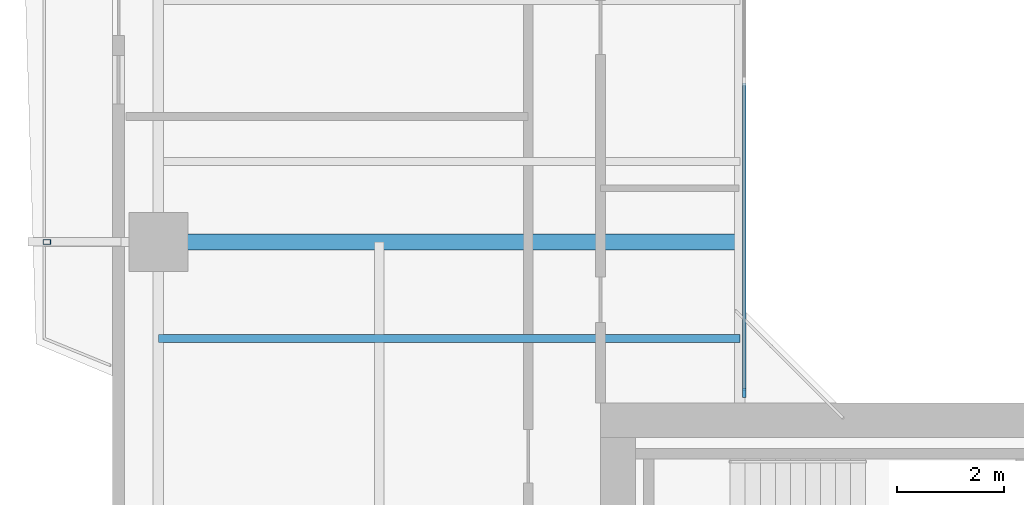
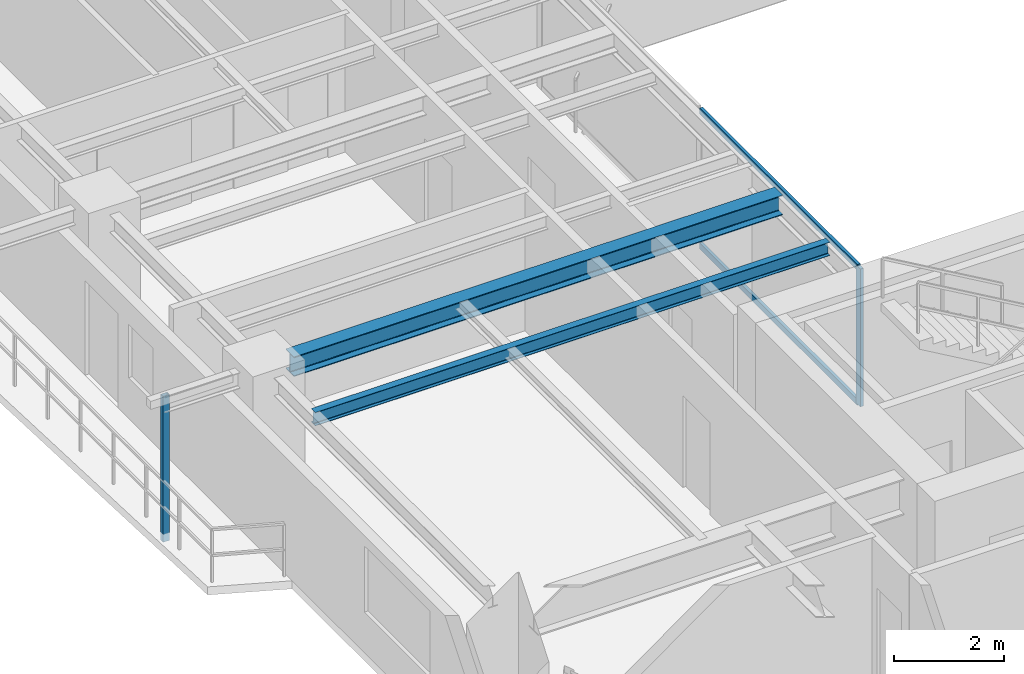
# One storey, part 3 of 17: 4 members, 2 beams, 1 element without a shape of its own.
"""IFC4 building model written with IfcOpenShell, lengths in metres."""

from ifc_helpers import new_model, si_unit, direction, frame, origin, origin_2d, place, context, subcontext, project, spatial, rectangle, hollow_rectangle, i_section, extrude, source, transform, mapped, material, layer, layer_set, material_profile, profile_set, type_object, element, aggregate, save


model = new_model("IFC4")

# Units and contexts
model_context = context("Model", 3, precision=1e-05, world=origin(), true_north=direction((0.0, 1.0)))
body_context = subcontext(model_context, "Body", "Model", "MODEL_VIEW")
ifc_project = project(units=[si_unit("LENGTHUNIT", "METRE"), si_unit("AREAUNIT", "SQUARE_METRE"), si_unit("VOLUMEUNIT", "CUBIC_METRE"), si_unit("PLANEANGLEUNIT", "RADIAN"), si_unit("MASSUNIT", "GRAM", prefix="KILO"), si_unit("THERMODYNAMICTEMPERATUREUNIT", "KELVIN"), si_unit("POWERUNIT", "WATT")], contexts=[model_context])

# Site, building, storey
site_placement = place(None, origin())
site = spatial("IfcSite", under=ifc_project, at=site_placement, CompositionType="ELEMENT")
building_placement = place(site_placement, origin())
building = spatial("IfcBuilding", under=site, at=building_placement, Name="Qiaomeng Ring Towers", CompositionType="ELEMENT")
storey_placement = place(building_placement, frame((0.0, 0.0, 119.75)))
storey = spatial("IfcBuildingStorey", under=building, at=storey_placement, Name="L34", CompositionType="ELEMENT", Elevation=119.75)

# Beams
ifc_material_1 = material(Name="Steel Q355B", Category="steel")
ifc_material_profile_1 = material_profile(ifc_material_1, i_section(OverallWidth=0.300048828125, OverallDepth=0.43994140625, WebThickness=0.010986328125, FlangeThickness=0.01806640625, FilletRadius=0.02392578125, at=origin_2d()), Name="HM 440x300x11x18")
ifc_profile_set_1 = profile_set([ifc_material_profile_1], Name="Steel Q355B")
beam_type_1 = type_object("IfcBeamType", Name="STR-BM-HM440", PredefinedType="BEAM", material=ifc_profile_set_1)
shared_shape_1 = source(origin(), body_context, "Body", "SweptSolid", [
    extrude(i_section(OverallWidth=0.300048828125, OverallDepth=0.43994140625, WebThickness=0.010986328125, FlangeThickness=0.01806640625, FilletRadius=0.02392578125, at=origin_2d()), origin(), (0.0, 0.0, 1.0), 10.301025390625),
])
beam_1_placement = place(storey_placement, frame((2.4990234375, 20.0, 2.85009765625), z_axis=(1.0, 0.0, 0.0), x_axis=(0.0, 1.0, 0.0)))
element("IfcBeam", 1, at=beam_1_placement, inside=storey, type_object=beam_type_1, Name="L34 beam STR-BM-L34-T1-RAD-W2", PredefinedType="BEAM", context=body_context, shape_type="MappedRepresentation", body=[
    mapped(shared_shape_1, transform((0.0, 0.0, 0.0), x_axis=(1.0, 0.0, 0.0), y_axis=(0.0, 1.0, 0.0), z_axis=(0.0, 0.0, 1.0), scale=1.0)),
])
ifc_material_profile_2 = material_profile(ifc_material_1, i_section(OverallWidth=0.14990234375, OverallDepth=0.300048828125, WebThickness=0.006591796875, FlangeThickness=0.009033203125, FilletRadius=0.012939453125, at=origin_2d()), Name="HN 300x150x6.5x9")
ifc_profile_set_2 = profile_set([ifc_material_profile_2], Name="Steel Q355B")
beam_type_2 = type_object("IfcBeamType", Name="STR-BM-HN300", PredefinedType="JOIST", material=ifc_profile_set_2)
shared_shape_2 = source(origin(), body_context, "Body", "SweptSolid", [
    extrude(i_section(OverallWidth=0.14990234375, OverallDepth=0.300048828125, WebThickness=0.006591796875, FlangeThickness=0.009033203125, FilletRadius=0.012939453125, at=origin_2d()), origin(), (0.0, 0.0, 1.0), 10.85009765625),
])
beam_2_placement = place(storey_placement, frame((1.949951171875, 18.199951171875, 2.919921875), z_axis=(1.0, 0.0, 0.0), x_axis=(0.0, 1.0, 0.0)))
element("IfcBeam", 2, at=beam_2_placement, inside=storey, type_object=beam_type_2, Name="L34 beam STR-JST-L34-T1W-1", PredefinedType="JOIST", context=body_context, shape_type="MappedRepresentation", body=[
    mapped(shared_shape_2, transform((0.0, 0.0, 0.0), x_axis=(1.0, 0.0, 0.0), y_axis=(0.0, 1.0, 0.0), z_axis=(0.0, 0.0, 1.0), scale=1.0)),
])

# Curtain wall, members
ifc_material_2 = material(Name="Fluorocarbon dark-grey aluminium", Category="aluminium")
ifc_layer = layer(ifc_material_2, 0.139892578125, Name="Fluorocarbon dark-grey aluminium")
ifc_layer_set = layer_set([ifc_layer], Name="Fluorocarbon dark-grey aluminium")
curtain_wall_type = type_object("IfcCurtainWallType", Name="ARC-CW-4", PredefinedType="NOTDEFINED", material=ifc_layer_set)
curtain_wall_placement = place(storey_placement, origin())
curtain_wall = element("IfcCurtainWall", 3, at=curtain_wall_placement, inside=storey, type_object=curtain_wall_type, Name="L34 Curtain Wall CW4", PredefinedType="NOTDEFINED")
ifc_material_profile_3 = material_profile(ifc_material_2, rectangle(XDim=0.06494140625, YDim=0.159912109375, at=origin_2d()), Name="ALU MULL 65x160")
ifc_profile_set_3 = profile_set([ifc_material_profile_3], Name="Fluorocarbon dark-grey aluminium")
member_type_1 = type_object("IfcMemberType", Name="ARC-CWM-140", PredefinedType="MULLION", material=ifc_profile_set_3)
shared_shape_3 = source(origin(), body_context, "Body", "SweptSolid", [
    extrude(rectangle(XDim=0.06494140625, YDim=0.159912109375, at=origin_2d()), origin(), (0.0, 0.0, 1.0), 3.070068359375),
])
member_1_placement = place(storey_placement, frame((12.8798828125, 17.1826171875, 0.0), z_axis=(0.0, 0.0, 1.0), x_axis=(-1.0, 0.0, 0.0)))
member_1 = element("IfcMember", 4, at=member_1_placement, type_object=member_type_1, Name="CW4 mullion 1", PredefinedType="MULLION", context=body_context, shape_type="MappedRepresentation", body=[
    mapped(shared_shape_3, transform((0.0, 0.0, 0.0), x_axis=(1.0, 0.0, 0.0), y_axis=(0.0, 1.0, 0.0), z_axis=(0.0, 0.0, 1.0), scale=1.0)),
])
ifc_material_profile_4 = material_profile(ifc_material_2, rectangle(XDim=0.06494140625, YDim=0.1298828125, at=origin_2d()), Name="ALU TRAN 65x130")
ifc_profile_set_4 = profile_set([ifc_material_profile_4], Name="Fluorocarbon dark-grey aluminium")
member_type_2 = type_object("IfcMemberType", Name="ARC-CWT-120", PredefinedType="USERDEFINED", material=ifc_profile_set_4)
shared_shape_4 = source(origin(), body_context, "Body", "SweptSolid", [
    extrude(rectangle(XDim=0.06494140625, YDim=0.1298828125, at=origin_2d()), origin(), (0.0, 0.0, 1.0), 5.75244140625),
])
member_2_placement = place(storey_placement, frame((12.8798828125, 17.215087890625, 0.032470703125), z_axis=(0.0, 1.0, 0.0), x_axis=(-1.0, 0.0, 0.0)))
member_2 = element("IfcMember", 5, at=member_2_placement, type_object=member_type_2, Name="CW4 transom 1.1", ObjectType="TRANSOM", PredefinedType="USERDEFINED", context=body_context, shape_type="MappedRepresentation", body=[
    mapped(shared_shape_4, transform((0.0, 0.0, 0.0), x_axis=(1.0, 0.0, 0.0), y_axis=(0.0, 1.0, 0.0), z_axis=(0.0, 0.0, 1.0), scale=1.0)),
])
member_3_placement = place(storey_placement, frame((12.8798828125, 17.215087890625, 3.03759765625), z_axis=(0.0, 1.0, 0.0), x_axis=(-1.0, 0.0, 0.0)))
member_3 = element("IfcMember", 6, at=member_3_placement, type_object=member_type_2, Name="CW4 transom 1.2", ObjectType="TRANSOM", PredefinedType="USERDEFINED", context=body_context, shape_type="MappedRepresentation", body=[
    mapped(shared_shape_4, transform((0.0, 0.0, 0.0), x_axis=(1.0, 0.0, 0.0), y_axis=(0.0, 1.0, 0.0), z_axis=(0.0, 0.0, 1.0), scale=1.0)),
])
aggregate(curtain_wall, [member_1, member_2, member_3])

# Member
ifc_material_3 = material(Name="Stainless steel 316", Category="steel")
ifc_material_profile_5 = material_profile(ifc_material_3, hollow_rectangle(XDim=0.090087890625, YDim=0.139892578125, WallThickness=0.0048828125, at=origin_2d()), Name="SS TRELLIS 90x140")
ifc_profile_set_5 = profile_set([ifc_material_profile_5], Name="Stainless steel 316")
member_type_3 = type_object("IfcMemberType", Name="ARC-TR-POST1", PredefinedType="STUD", material=ifc_profile_set_5)
shared_shape_5 = source(origin(), body_context, "Body", "SweptSolid", [
    extrude(hollow_rectangle(XDim=0.090087890625, YDim=0.139892578125, WallThickness=0.0048828125, at=origin_2d()), origin(), (0.0, 0.0, 1.0), 3.25),
])
member_4_placement = place(storey_placement, frame((-0.1298828125, 20.0, -0.179931640625), z_axis=(0.0, 0.0, 1.0), x_axis=(0.0, 1.0, 0.0)))
element("IfcMember", 7, at=member_4_placement, inside=storey, type_object=member_type_3, Name="L34 Outer Ventilated Trellis Post W", PredefinedType="STUD", context=body_context, shape_type="MappedRepresentation", body=[
    mapped(shared_shape_5, transform((0.0, 0.0, 0.0), x_axis=(1.0, 0.0, 0.0), y_axis=(0.0, 1.0, 0.0), z_axis=(0.0, 0.0, 1.0), scale=1.0)),
])

save(model, "model.ifc")
